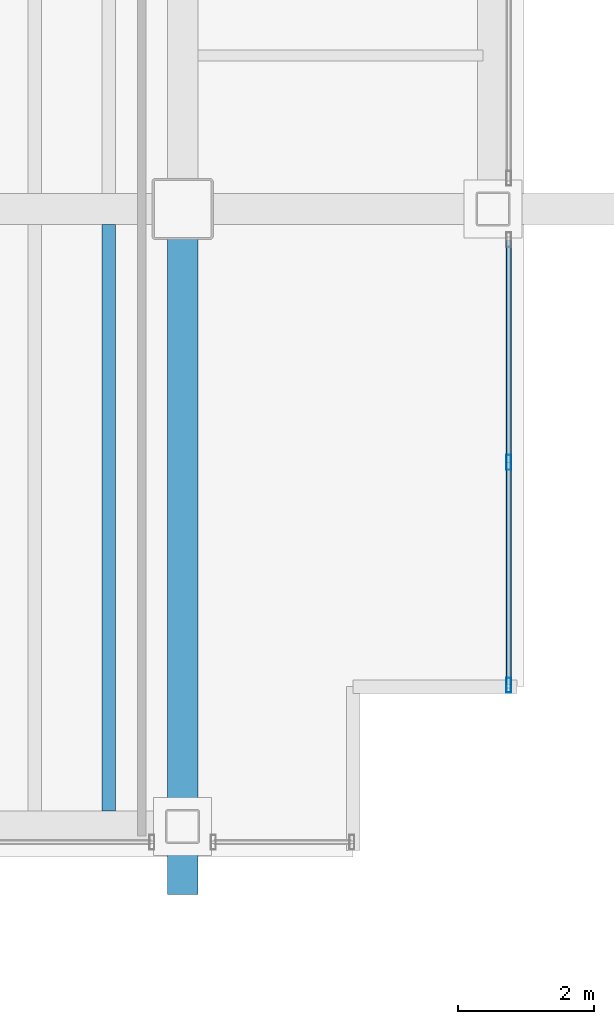
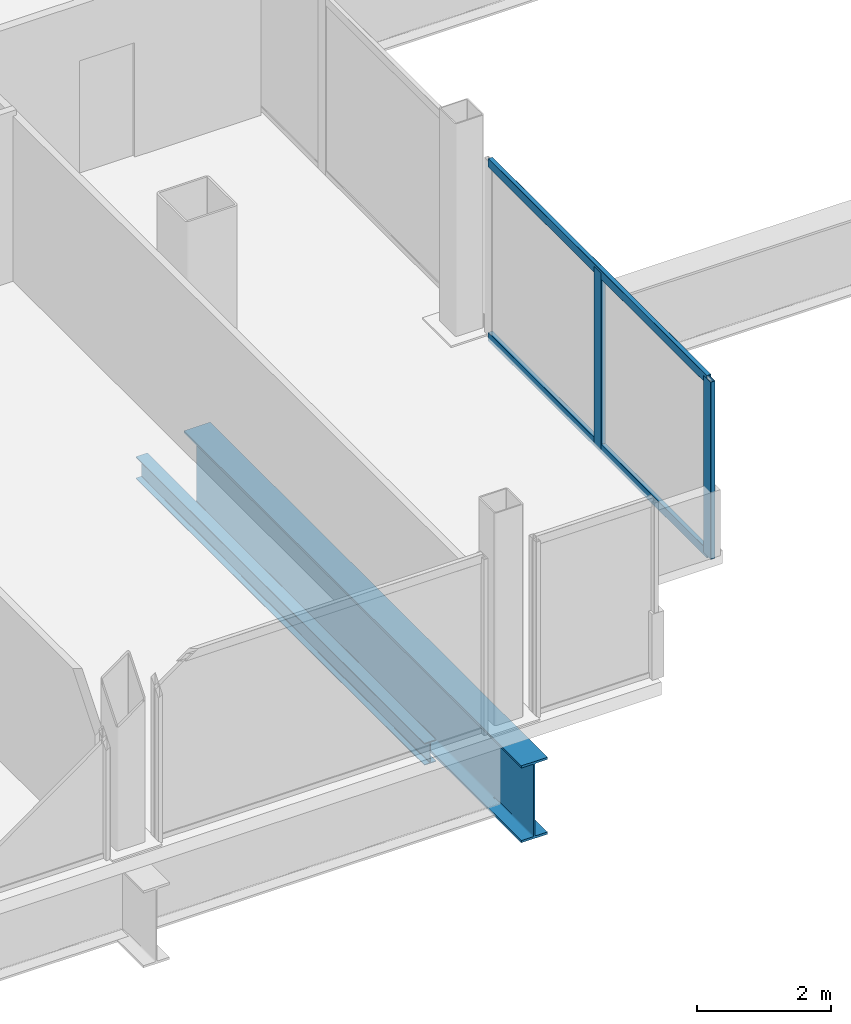
# One storey, part 15 of 24: 4 members, 2 beams, 1 element without a shape of its own.
"""IFC4 building model written with IfcOpenShell, lengths in metres."""

import ifcopenshell
import ifcopenshell.guid

model = None  # the IFC model being written
_history = None  # IfcOwnerHistory: only IFC2X3 demands one
_inside = {}  # id of a spatial element -> (the spatial element, [elements in it])
_under = {}  # id of a project, library or spatial element -> (it, [spatial elements below it])
_declared = {}  # id of a project -> (the project, [libraries it declares])
_typed = {}  # id of a type object -> (the type object, [elements of that type])
_made_of = {}  # id of a material, layer set ... -> (it, [elements and type objects made of it])


def new_model(schema):
    """Start an empty IFC model of exactly this schema.

    Asked for "IFC4X3", IfcOpenShell would pick the latest addendum, in which some entities
    have other attributes; the version numbers below select the first issue.
    IFC2X3 requires an IfcOwnerHistory on every rooted entity: one is made here for all.
    """
    global model, _history
    if schema == "IFC4X3":
        model = ifcopenshell.file(schema_version=(4, 3, 0, 0))
    else:
        model = ifcopenshell.file(schema=schema)
    _inside.clear()
    _under.clear()
    _declared.clear()
    _typed.clear()
    _made_of.clear()
    _history = None
    if model.schema == "IFC2X3":
        org = make("IfcOrganization", Name="unknown")
        user = make(
            "IfcPersonAndOrganization",
            ThePerson=make("IfcPerson", FamilyName="unknown"),
            TheOrganization=org,
        )
        app = make(
            "IfcApplication",
            ApplicationDeveloper=org,
            Version="unknown",
            ApplicationFullName="unknown",
            ApplicationIdentifier="unknown",
        )
        _history = make(
            "IfcOwnerHistory",
            OwningUser=user,
            OwningApplication=app,
            ChangeAction="ADDED",
            CreationDate=0,
        )
    return model


def make(cls, **values):
    """One entity of the class cls with the attributes given. An attribute that is None is left unset."""
    return model.create_entity(
        cls, **{name: value for name, value in values.items() if value is not None}
    )


def rooted(cls, **values):
    """An entity with a GlobalId (a new one), such as an element, a storey or a relation."""
    return make(cls, GlobalId=ifcopenshell.guid.new(), OwnerHistory=_history, **values)


def si_unit(unit_type, name, prefix=None):
    """IfcSIUnit, for example si_unit("LENGTHUNIT", "METRE", prefix="MILLI")."""
    return make("IfcSIUnit", UnitType=unit_type, Prefix=prefix, Name=name)


def assignment(units):
    """IfcUnitAssignment: the units of a project."""
    return None if units is None else make("IfcUnitAssignment", Units=units)


def point(xyz):
    """IfcCartesianPoint."""
    return None if xyz is None else make("IfcCartesianPoint", Coordinates=xyz)


def direction(xyz):
    """IfcDirection."""
    return None if xyz is None else make("IfcDirection", DirectionRatios=xyz)


def frame(location, z_axis=None, x_axis=None):
    """IfcAxis2Placement3D, a coordinate frame: its origin and axes. An axis left out is left unset."""
    return make(
        "IfcAxis2Placement3D",
        Location=point(location),
        Axis=direction(z_axis),
        RefDirection=direction(x_axis),
    )


def frame_2d(location, x_axis=None):
    """IfcAxis2Placement2D, a coordinate frame in the plane: its origin and x axis."""
    return make(
        "IfcAxis2Placement2D", Location=point(location), RefDirection=direction(x_axis)
    )


def origin():
    """The frame at (0, 0, 0) with its axes left unset."""
    return frame((0.0, 0.0, 0.0))


def origin_2d():
    """The frame at (0, 0) in the plane with its x axis left unset."""
    return frame_2d((0.0, 0.0))


def place(relative_to, where):
    """IfcLocalPlacement: puts the frame where relative to a parent placement (None: the world)."""
    return make(
        "IfcLocalPlacement", PlacementRelTo=relative_to, RelativePlacement=where
    )


def context(
    kind, dimensions, precision=None, world=None, true_north=None, identifier=None
):
    """IfcGeometricRepresentationContext, for example the 3D "Model" context."""
    return make(
        "IfcGeometricRepresentationContext",
        ContextIdentifier=identifier,
        ContextType=kind,
        CoordinateSpaceDimension=dimensions,
        Precision=precision,
        WorldCoordinateSystem=world,
        TrueNorth=true_north,
    )


def subcontext(parent, identifier, kind, view, scale=None):
    """IfcGeometricRepresentationSubContext, for example "Body" below "Model"."""
    return make(
        "IfcGeometricRepresentationSubContext",
        ContextIdentifier=identifier,
        ContextType=kind,
        ParentContext=parent,
        TargetScale=scale,
        TargetView=view,
    )


def project(units=None, contexts=None):
    """IfcProject with its units and contexts."""
    return rooted(
        "IfcProject",
        Name="project",
        RepresentationContexts=contexts,
        UnitsInContext=assignment(units),
    )


def spatial(cls, under=None, at=None, **own):
    """A site, building, storey or space (cls), placed at a placement, below another one or the project."""
    s = rooted(cls, ObjectPlacement=at, **own)
    if under is not None:
        _under.setdefault(under.id(), (under, []))[1].append(s)
    return s


def profile(cls, at=None, kind="AREA", **sizes):
    """A parametric profile (cls). Its sizes go by their IFC names, for example OverallWidth=200.0."""
    return make(cls, ProfileType=kind, Position=at, **sizes)


def hollow_rectangle(**sizes):
    """IfcRectangleHollowProfileDef."""
    return profile("IfcRectangleHollowProfileDef", **sizes)


def i_section(**sizes):
    """IfcIShapeProfileDef."""
    return profile("IfcIShapeProfileDef", **sizes)


def extrude(swept, where, along, depth):
    """IfcExtrudedAreaSolid: the profile swept, set in the frame where, extruded along a direction by depth."""
    return make(
        "IfcExtrudedAreaSolid",
        SweptArea=swept,
        Position=where,
        ExtrudedDirection=direction(along),
        Depth=depth,
    )


def shape(context_of_items, identifier, shape_type, items):
    """IfcShapeRepresentation: the items that make up one representation, for example the "Body"."""
    return make(
        "IfcShapeRepresentation",
        ContextOfItems=context_of_items,
        RepresentationIdentifier=identifier,
        RepresentationType=shape_type,
        Items=items,
    )


def material(Name=None, Category=None):
    """IfcMaterial."""
    return make("IfcMaterial", Name=Name, Category=Category)


def material_profile(
    of_material, cross_section, Name=None, Category=None, Priority=None
):
    """IfcMaterialProfile: a cross section and its material."""
    return make(
        "IfcMaterialProfile",
        Name=Name,
        Material=of_material,
        Profile=cross_section,
        Priority=Priority,
        Category=Category,
    )


def profile_set(profiles, Name=None, composite=None):
    """IfcMaterialProfileSet."""
    return make(
        "IfcMaterialProfileSet",
        Name=Name,
        MaterialProfiles=profiles,
        CompositeProfile=composite,
    )


def made_of(thing, what):
    """Note that an element or type object is made of a material, layer set ...; save() writes the relation."""
    if what is not None:
        _made_of.setdefault(what.id(), (what, []))[1].append(thing)
    return thing


def type_object(cls, material=None, **own):
    """A type object (cls), such as IfcWallType, which elements share."""
    return made_of(rooted(cls, **own), material)


def element(
    cls,
    number,
    at=None,
    inside=None,
    cuts=None,
    type_object=None,
    material=None,
    context=None,
    identifier="Body",
    shape_type=None,
    held_by="IfcProductDefinitionShape",
    body=None,
    shapes=None,
    **own,
):
    """One element of the class cls, such as IfcWall. Its Tag is "e" and its number.

    at: its placement. inside: the storey or other place that contains it. cuts: it is an
    opening in that element (IfcRelVoidsElement). A single representation is given by context,
    identifier, shape_type and body (its items); several are given by shapes. held_by: the class
    of the entity that holds the representations. save() writes the other relations.
    """
    e = rooted(cls, Tag="e%d" % number, ObjectPlacement=at, **own)
    if body is not None:
        shapes = [shape(context, identifier, shape_type, body)]
    if shapes is not None:
        e.Representation = make(held_by, Representations=shapes)
    if inside is not None:
        _inside.setdefault(inside.id(), (inside, []))[1].append(e)
    if cuts is not None:
        rooted(
            "IfcRelVoidsElement", RelatingBuildingElement=cuts, RelatedOpeningElement=e
        )
    if type_object is not None:
        _typed.setdefault(type_object.id(), (type_object, []))[1].append(e)
    return made_of(e, material)


def aggregate(whole, parts):
    """IfcRelAggregates: a whole, such as a stair, and the parts it consists of."""
    return rooted("IfcRelAggregates", RelatingObject=whole, RelatedObjects=parts)


def save(model, path):
    """Write the relations noted so far, then the file.

    IfcRelAggregates (storeys below a building ...), IfcRelContainedInSpatialStructure (elements
    in a storey), IfcRelDefinesByType, IfcRelAssociatesMaterial and IfcRelDeclares: one each for
    every whole, place, type object, material and project.
    """
    for whole, parts in _under.values():
        aggregate(whole, parts)
    for where, things in _inside.values():
        rooted(
            "IfcRelContainedInSpatialStructure",
            RelatedElements=things,
            RelatingStructure=where,
        )
    for kind, things in _typed.values():
        rooted("IfcRelDefinesByType", RelatedObjects=things, RelatingType=kind)
    for what, things in _made_of.values():
        rooted("IfcRelAssociatesMaterial", RelatedObjects=things, RelatingMaterial=what)
    for by, libraries in _declared.values():
        rooted("IfcRelDeclares", RelatingContext=by, RelatedDefinitions=libraries)
    model.write(path)


model = new_model("IFC4")

# Units and contexts
model_context = context("Model", 3, precision=1e-05, world=origin(), true_north=direction((0.0, 1.0)))
body_context = subcontext(model_context, "Body", "Model", "MODEL_VIEW")
ifc_project = project(units=[si_unit("LENGTHUNIT", "METRE"), si_unit("AREAUNIT", "SQUARE_METRE"), si_unit("VOLUMEUNIT", "CUBIC_METRE"), si_unit("PLANEANGLEUNIT", "RADIAN"), si_unit("MASSUNIT", "GRAM", prefix="KILO")], contexts=[model_context])

# Site, building, storey
site_placement = place(None, origin())
site = spatial("IfcSite", under=ifc_project, at=site_placement, CompositionType="ELEMENT")
building_placement = place(site_placement, origin())
building = spatial("IfcBuilding", under=site, at=building_placement, Name="Noeulbin Bourse Tower", CompositionType="ELEMENT")
storey_placement = place(building_placement, frame((0.0, 0.0, 114.89990234375)))
storey = spatial("IfcBuildingStorey", under=building, at=storey_placement, Name="L28", CompositionType="ELEMENT", Elevation=114.89990234375)

# Beams
ifc_material_1 = material(Name="Steel S355", Category="steel")
ifc_material_profile_1 = material_profile(ifc_material_1, i_section(OverallWidth=0.199951171875, OverallDepth=0.39990234375, WebThickness=0.008056640625, FlangeThickness=0.012939453125, FilletRadius=0.01611328125, at=origin_2d()), Name="H-400x200x8x13", Category="LoadBearing")
ifc_profile_set_1 = profile_set([ifc_material_profile_1], Name="Steel S355")
beam_type_1 = type_object("IfcBeamType", Name="BM-SEC-400", PredefinedType="BEAM", material=ifc_profile_set_1)
beam_1_placement = place(storey_placement, frame((42.916748046875, 11.175048828125, -0.43994140625), z_axis=(0.0, 1.0, 0.0), x_axis=(-1.0, 0.0, 0.0)))
element("IfcBeam", 1, at=beam_1_placement, inside=storey, type_object=beam_type_1, Name="Tower Composite Joist L28-45", PredefinedType="BEAM", context=body_context, shape_type="SweptSolid", body=[
    extrude(i_section(OverallWidth=0.199951171875, OverallDepth=0.39990234375, WebThickness=0.008056640625, FlangeThickness=0.012939453125, FilletRadius=0.01611328125, at=origin_2d()), origin(), (0.0, 0.0, 1.0), 8.599853515625),
])
ifc_material_2 = material(Name="Steel S460", Category="steel")
ifc_material_profile_2 = material_profile(ifc_material_2, i_section(OverallWidth=0.449951171875, OverallDepth=1.39990234375, WebThickness=0.02392578125, FlangeThickness=0.0400390625, FilletRadius=0.02392578125, at=origin_2d()), Name="PG-1400x450x24x40", Category="LoadBearing")
ifc_profile_set_2 = profile_set([ifc_material_profile_2], Name="Steel S460")
beam_type_2 = type_object("IfcBeamType", Name="BM-TRF-1400", PredefinedType="USERDEFINED", material=ifc_profile_set_2)
beam_2_placement = place(storey_placement, frame((44.0, 9.949951171875, -0.93994140625), z_axis=(0.0, 1.0, 0.0), x_axis=(-1.0, 0.0, 0.0)))
element("IfcBeam", 2, at=beam_2_placement, inside=storey, type_object=beam_type_2, Name="Tower Primary Girder NS L28-5.1", ObjectType="GIRDER", PredefinedType="USERDEFINED", context=body_context, shape_type="SweptSolid", body=[
    extrude(i_section(OverallWidth=0.449951171875, OverallDepth=1.39990234375, WebThickness=0.02392578125, FlangeThickness=0.0400390625, FilletRadius=0.02392578125, at=origin_2d()), origin(), (0.0, 0.0, 1.0), 10.050048828125),
])

# Curtain wall, members
ifc_material_3 = material(Name="Dark Tinted Triple Glazing", Category="glass")
curtain_wall_type = type_object("IfcCurtainWallType", Name="CW-SYS-3", PredefinedType="NOTDEFINED", material=ifc_material_3)
curtain_wall_placement = place(storey_placement, origin())
curtain_wall = element("IfcCurtainWall", 3, at=curtain_wall_placement, inside=storey, type_object=curtain_wall_type, Name="Unitised Curtain Wall CW-L28-E-S1", PredefinedType="NOTDEFINED")
ifc_material_4 = material(Name="Anodised Aluminium 6063-T6", Category="aluminium")
ifc_material_profile_3 = material_profile(ifc_material_4, hollow_rectangle(XDim=0.074951171875, YDim=0.219970703125, WallThickness=0.0048828125, InnerFilletRadius=0.00244140625, OuterFilletRadius=0.0048828125, at=origin_2d()), Name="ALU-MULL-75x220x5", Category="LoadBearing")
ifc_profile_set_3 = profile_set([ifc_material_profile_3], Name="Anodised Aluminium 6063-T6")
member_type_1 = type_object("IfcMemberType", Name="CW-SYS-3-MUL", PredefinedType="MULLION", material=ifc_profile_set_3)
member_1_placement = place(storey_placement, frame((48.780029296875, 13.02001953125, -0.02001953125), z_axis=(0.0, 0.0, 1.0), x_axis=(1.0, 0.0, 0.0)))
member_1 = element("IfcMember", 4, at=member_1_placement, type_object=member_type_1, Name="Curtain Wall Mullion CW-L28-E-S1-M00", PredefinedType="MULLION", context=body_context, shape_type="SweptSolid", body=[
    extrude(hollow_rectangle(XDim=0.074951171875, YDim=0.219970703125, WallThickness=0.0048828125, InnerFilletRadius=0.00244140625, OuterFilletRadius=0.0048828125, at=origin_2d()), origin(), (0.0, 0.0, 1.0), 3.22021484375),
])
member_2_placement = place(storey_placement, frame((48.780029296875, 16.284912109375, -0.02001953125), z_axis=(0.0, 0.0, 1.0), x_axis=(1.0, 0.0, 0.0)))
member_2 = element("IfcMember", 5, at=member_2_placement, type_object=member_type_1, Name="Curtain Wall Mullion CW-L28-E-S1-M01", PredefinedType="MULLION", context=body_context, shape_type="SweptSolid", body=[
    extrude(hollow_rectangle(XDim=0.074951171875, YDim=0.219970703125, WallThickness=0.0048828125, InnerFilletRadius=0.00244140625, OuterFilletRadius=0.0048828125, at=origin_2d()), origin(), (0.0, 0.0, 1.0), 3.22021484375),
])
ifc_material_profile_4 = material_profile(ifc_material_4, hollow_rectangle(XDim=0.074951171875, YDim=0.159912109375, WallThickness=0.0048828125, InnerFilletRadius=0.00244140625, OuterFilletRadius=0.0048828125, at=origin_2d()), Name="ALU-TRAN-75x160x5", Category="LoadBearing")
ifc_profile_set_4 = profile_set([ifc_material_profile_4], Name="Anodised Aluminium 6063-T6")
member_type_2 = type_object("IfcMemberType", Name="CW-SYS-3-TRN", PredefinedType="USERDEFINED", material=ifc_profile_set_4)
member_3_placement = place(storey_placement, frame((48.780029296875, 13.030029296875, 0.010009765625), z_axis=(0.0, 1.0, 0.0), x_axis=(-1.0, 0.0, 0.0)))
member_3 = element("IfcMember", 6, at=member_3_placement, type_object=member_type_2, Name="Curtain Wall Transom CW-L28-E-S1-T00", ObjectType="TRANSOM", PredefinedType="USERDEFINED", context=body_context, shape_type="SweptSolid", body=[
    extrude(hollow_rectangle(XDim=0.074951171875, YDim=0.159912109375, WallThickness=0.0048828125, InnerFilletRadius=0.00244140625, OuterFilletRadius=0.0048828125, at=origin_2d()), origin(), (0.0, 0.0, 1.0), 6.510009765625),
])
member_4_placement = place(storey_placement, frame((48.780029296875, 13.030029296875, 3.170166015625), z_axis=(0.0, 1.0, 0.0), x_axis=(-1.0, 0.0, 0.0)))
member_4 = element("IfcMember", 7, at=member_4_placement, type_object=member_type_2, Name="Curtain Wall Transom CW-L28-E-S1-T01", ObjectType="TRANSOM", PredefinedType="USERDEFINED", context=body_context, shape_type="SweptSolid", body=[
    extrude(hollow_rectangle(XDim=0.074951171875, YDim=0.159912109375, WallThickness=0.0048828125, InnerFilletRadius=0.00244140625, OuterFilletRadius=0.0048828125, at=origin_2d()), origin(), (0.0, 0.0, 1.0), 6.510009765625),
])
aggregate(curtain_wall, [member_1, member_2, member_3, member_4])

save(model, "model.ifc")
